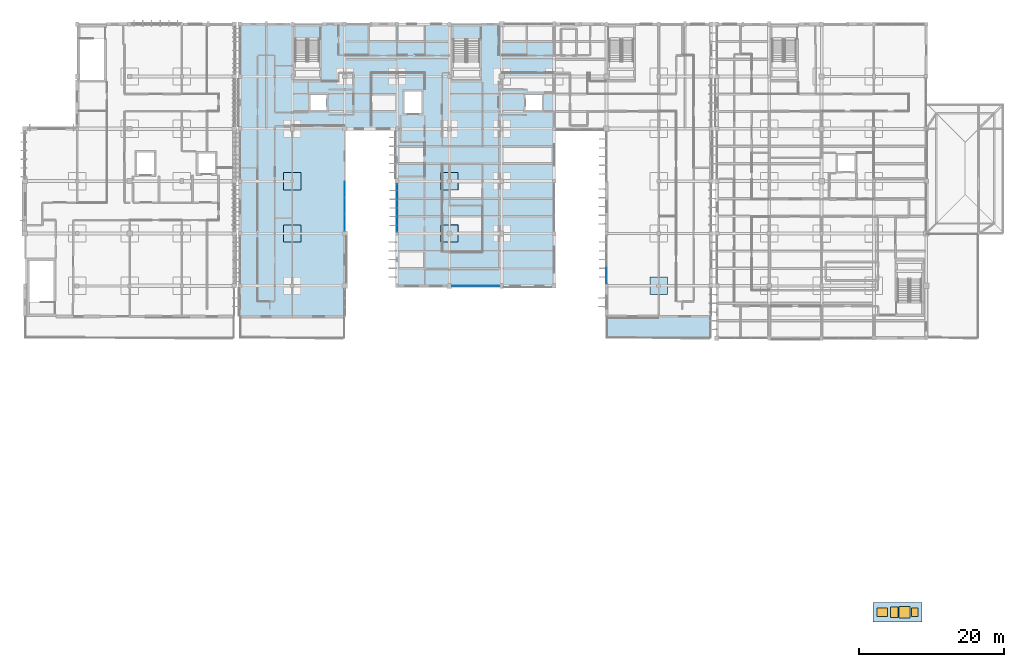
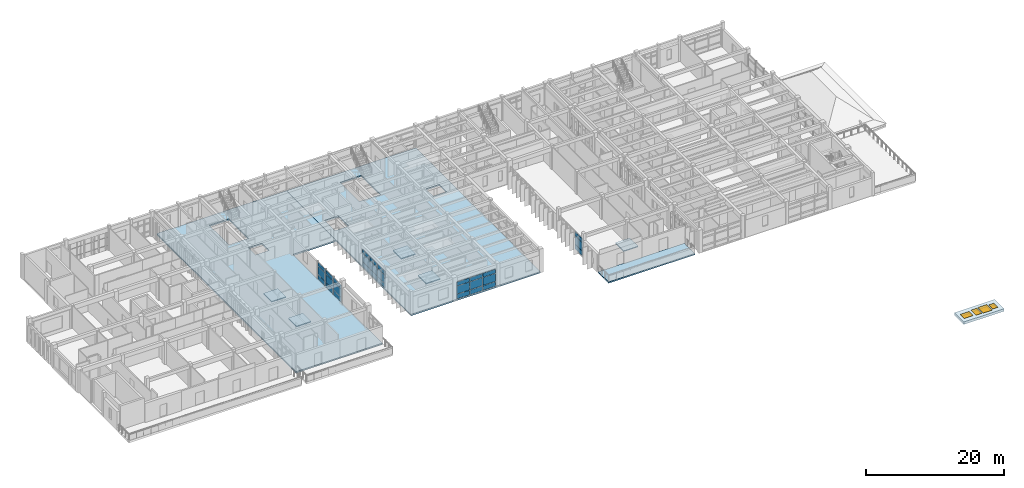
# One storey, part 26 of 55: 30 plates, 9 slabs, 2 doors, 2 windows, 4 openings, 4 elements without a shape of their own.
"""IFC4 building model written with IfcOpenShell, lengths in metres."""

from ifc_helpers import new_model, si_unit, direction, frame, origin, origin_2d, place, context, subcontext, project, spatial, polyline, rectangle, outline, extrude, material, layer, layer_set, type_object, element, fill, aggregate, save


model = new_model("IFC4")

# Units and contexts
model_context = context("Model", 3, precision=1e-05, world=origin(), true_north=direction((0.0, 1.0)))
body_context = subcontext(model_context, "Body", "Model", "MODEL_VIEW")
ifc_project = project(units=[si_unit("LENGTHUNIT", "METRE"), si_unit("AREAUNIT", "SQUARE_METRE"), si_unit("VOLUMEUNIT", "CUBIC_METRE"), si_unit("PLANEANGLEUNIT", "RADIAN"), si_unit("MASSUNIT", "GRAM", prefix="KILO")], contexts=[model_context])

# Site, building, storey
site_placement = place(None, origin())
site = spatial("IfcSite", under=ifc_project, at=site_placement, CompositionType="ELEMENT")
building_placement = place(site_placement, origin())
building = spatial("IfcBuilding", under=site, at=building_placement, Name="Steenspoor Specialist Clinic", CompositionType="ELEMENT")
storey_placement = place(building_placement, frame((0.0, 0.0, 13.199951171875)))
storey = spatial("IfcBuildingStorey", under=building, at=storey_placement, Name="L03", CompositionType="ELEMENT", Elevation=13.199951171875)

# Curtain wall, plates
ifc_material_1 = material(Name="Thermally broken aluminium and low-emissivity glass", Category="aluminium")
curtain_wall_type_1 = type_object("IfcCurtainWallType", Name="CW-WLK-520X340", PredefinedType="USERDEFINED", material=ifc_material_1)
curtain_wall_1_placement = place(storey_placement, origin())
curtain_wall_1 = element("IfcCurtainWall", 1, at=curtain_wall_1_placement, inside=storey, type_object=curtain_wall_type_1, Name="Unitised Curtain Wall CW-V4-L03-117", ObjectType="UNITISED GLAZING", PredefinedType="USERDEFINED")
ifc_material_2 = material(Name="Double low-emissivity insulated glass", Category="glass")
ifc_layer_1 = layer(ifc_material_2, 0.035888671875)
ifc_layer_set_1 = layer_set([ifc_layer_1], Name="Double low-emissivity insulated glass")
plate_type_1 = type_object("IfcPlateType", Name="CW-PAN-GL36", PredefinedType="CURTAIN_PANEL", material=ifc_layer_set_1)
plate_1_placement = place(storey_placement, frame((74.0, 80.87451171875, 0.06494140625), z_axis=(0.0, 0.0, 1.0), x_axis=(0.0, 1.0, 0.0)))
plate_1 = element("IfcPlate", 2, at=plate_1_placement, type_object=plate_type_1, Name="CW-21 panel 1.1", PredefinedType="CURTAIN_PANEL", context=body_context, shape_type="SweptSolid", body=[
    extrude(rectangle(XDim=2.119140625, YDim=0.035888671875, at=origin_2d()), origin(), (0.0, 0.0, 1.0), 0.802490234375),
])
plate_2_placement = place(storey_placement, frame((74.0, 80.87451171875, 0.9326171875), z_axis=(0.0, 0.0, 1.0), x_axis=(0.0, 1.0, 0.0)))
plate_2 = element("IfcPlate", 3, at=plate_2_placement, type_object=plate_type_1, Name="CW-21 panel 1.2", PredefinedType="CURTAIN_PANEL", context=body_context, shape_type="SweptSolid", body=[
    extrude(rectangle(XDim=2.119140625, YDim=0.035888671875, at=origin_2d()), origin(), (0.0, 0.0, 1.0), 1.385009765625),
])
plate_3_placement = place(storey_placement, frame((74.0, 80.87451171875, 2.382568359375), z_axis=(0.0, 0.0, 1.0), x_axis=(0.0, 1.0, 0.0)))
plate_3 = element("IfcPlate", 4, at=plate_3_placement, type_object=plate_type_1, Name="CW-21 panel 1.3", PredefinedType="CURTAIN_PANEL", context=body_context, shape_type="SweptSolid", body=[
    extrude(rectangle(XDim=2.119140625, YDim=0.035888671875, at=origin_2d()), origin(), (0.0, 0.0, 1.0), 0.6826171875),
])
plate_4_placement = place(storey_placement, frame((74.0, 83.074951171875, 0.06494140625), z_axis=(0.0, 0.0, 1.0), x_axis=(0.0, 1.0, 0.0)))
plate_4 = element("IfcPlate", 5, at=plate_4_placement, type_object=plate_type_1, Name="CW-21 panel 2.1", PredefinedType="CURTAIN_PANEL", context=body_context, shape_type="SweptSolid", body=[
    extrude(rectangle(XDim=2.151611328125, YDim=0.035888671875, at=origin_2d()), origin(), (0.0, 0.0, 1.0), 0.802490234375),
])
plate_5_placement = place(storey_placement, frame((74.0, 83.074951171875, 0.9326171875), z_axis=(0.0, 0.0, 1.0), x_axis=(0.0, 1.0, 0.0)))
plate_5 = element("IfcPlate", 6, at=plate_5_placement, type_object=plate_type_1, Name="CW-21 panel 2.2", PredefinedType="CURTAIN_PANEL", context=body_context, shape_type="SweptSolid", body=[
    extrude(rectangle(XDim=2.151611328125, YDim=0.035888671875, at=origin_2d()), origin(), (0.0, 0.0, 1.0), 1.385009765625),
])
plate_6_placement = place(storey_placement, frame((74.0, 83.074951171875, 2.382568359375), z_axis=(0.0, 0.0, 1.0), x_axis=(0.0, 1.0, 0.0)))
plate_6 = element("IfcPlate", 7, at=plate_6_placement, type_object=plate_type_1, Name="CW-21 panel 2.3", PredefinedType="CURTAIN_PANEL", context=body_context, shape_type="SweptSolid", body=[
    extrude(rectangle(XDim=2.151611328125, YDim=0.035888671875, at=origin_2d()), origin(), (0.0, 0.0, 1.0), 0.6826171875),
])
plate_7_placement = place(storey_placement, frame((74.0, 85.275390625, 0.06494140625), z_axis=(0.0, 0.0, 1.0), x_axis=(0.0, 1.0, 0.0)))
plate_7 = element("IfcPlate", 8, at=plate_7_placement, type_object=plate_type_1, Name="CW-21 panel 3.1", PredefinedType="CURTAIN_PANEL", context=body_context, shape_type="SweptSolid", body=[
    extrude(rectangle(XDim=2.119140625, YDim=0.035888671875, at=origin_2d()), origin(), (0.0, 0.0, 1.0), 0.802490234375),
])
plate_8_placement = place(storey_placement, frame((74.0, 85.275390625, 0.9326171875), z_axis=(0.0, 0.0, 1.0), x_axis=(0.0, 1.0, 0.0)))
plate_8 = element("IfcPlate", 9, at=plate_8_placement, type_object=plate_type_1, Name="CW-21 panel 3.2", PredefinedType="CURTAIN_PANEL", context=body_context, shape_type="SweptSolid", body=[
    extrude(rectangle(XDim=2.119140625, YDim=0.035888671875, at=origin_2d()), origin(), (0.0, 0.0, 1.0), 1.385009765625),
])
plate_9_placement = place(storey_placement, frame((74.0, 85.275390625, 2.382568359375), z_axis=(0.0, 0.0, 1.0), x_axis=(0.0, 1.0, 0.0)))
plate_9 = element("IfcPlate", 10, at=plate_9_placement, type_object=plate_type_1, Name="CW-21 panel 3.3", PredefinedType="CURTAIN_PANEL", context=body_context, shape_type="SweptSolid", body=[
    extrude(rectangle(XDim=2.119140625, YDim=0.035888671875, at=origin_2d()), origin(), (0.0, 0.0, 1.0), 0.6826171875),
])
aggregate(curtain_wall_1, [plate_1, plate_2, plate_3, plate_4, plate_5, plate_6, plate_7, plate_8, plate_9])

curtain_wall_type_2 = type_object("IfcCurtainWallType", Name="CW-WLK-360X340", PredefinedType="USERDEFINED", material=ifc_material_1)
curtain_wall_2_placement = place(storey_placement, origin())
curtain_wall_2 = element("IfcCurtainWall", 11, at=curtain_wall_2_placement, inside=storey, type_object=curtain_wall_type_2, Name="Unitised Curtain Wall CW-V4-L03-118", ObjectType="UNITISED GLAZING", PredefinedType="USERDEFINED")
ifc_material_3 = material(Name="Triple acoustic laminated low-emissivity glass", Category="glass")
ifc_layer_2 = layer(ifc_material_3, 0.048095703125)
ifc_layer_set_2 = layer_set([ifc_layer_2], Name="Triple acoustic laminated low-emissivity glass")
plate_type_2 = type_object("IfcPlateType", Name="CW-PAN-GL48", PredefinedType="CURTAIN_PANEL", material=ifc_layer_set_2)
plate_10_placement = place(storey_placement, frame((66.800048828125, 85.603759765625, 0.06005859375), z_axis=(0.0, 0.0, 1.0), x_axis=(0.0, -1.0, 0.0)))
plate_10 = element("IfcPlate", 12, at=plate_10_placement, type_object=plate_type_2, Name="CW-22 panel 1.1", PredefinedType="CURTAIN_PANEL", context=body_context, shape_type="SweptSolid", body=[
    extrude(rectangle(XDim=2.197509765625, YDim=0.048095703125, at=origin_2d()), origin(), (0.0, 0.0, 1.0), 0.81005859375),
])
plate_11_placement = place(storey_placement, frame((66.800048828125, 85.603759765625, 0.93017578125), z_axis=(0.0, 0.0, 1.0), x_axis=(0.0, -1.0, 0.0)))
plate_11 = element("IfcPlate", 13, at=plate_11_placement, type_object=plate_type_2, Name="CW-22 panel 1.2", PredefinedType="CURTAIN_PANEL", context=body_context, shape_type="SweptSolid", body=[
    extrude(rectangle(XDim=2.197509765625, YDim=0.048095703125, at=origin_2d()), origin(), (0.0, 0.0, 1.0), 1.389892578125),
])
plate_12_placement = place(storey_placement, frame((66.800048828125, 85.603759765625, 2.380126953125), z_axis=(0.0, 0.0, 1.0), x_axis=(0.0, -1.0, 0.0)))
plate_12 = element("IfcPlate", 14, at=plate_12_placement, type_object=plate_type_2, Name="CW-22 panel 1.3", PredefinedType="CURTAIN_PANEL", context=body_context, shape_type="SweptSolid", body=[
    extrude(rectangle(XDim=2.197509765625, YDim=0.048095703125, at=origin_2d()), origin(), (0.0, 0.0, 1.0), 0.68994140625),
])
plate_13_placement = place(storey_placement, frame((66.800048828125, 83.331298828125, 0.06005859375), z_axis=(0.0, 0.0, 1.0), x_axis=(0.0, -1.0, 0.0)))
plate_13 = element("IfcPlate", 15, at=plate_13_placement, type_object=plate_type_2, Name="CW-22 panel 2.1", PredefinedType="CURTAIN_PANEL", context=body_context, shape_type="SweptSolid", body=[
    extrude(rectangle(XDim=2.2275390625, YDim=0.048095703125, at=origin_2d()), origin(), (0.0, 0.0, 1.0), 0.81005859375),
])
plate_14_placement = place(storey_placement, frame((66.800048828125, 83.331298828125, 0.93017578125), z_axis=(0.0, 0.0, 1.0), x_axis=(0.0, -1.0, 0.0)))
plate_14 = element("IfcPlate", 16, at=plate_14_placement, type_object=plate_type_2, Name="CW-22 panel 2.2", PredefinedType="CURTAIN_PANEL", context=body_context, shape_type="SweptSolid", body=[
    extrude(rectangle(XDim=2.2275390625, YDim=0.048095703125, at=origin_2d()), origin(), (0.0, 0.0, 1.0), 1.389892578125),
])
plate_15_placement = place(storey_placement, frame((66.800048828125, 83.331298828125, 2.380126953125), z_axis=(0.0, 0.0, 1.0), x_axis=(0.0, -1.0, 0.0)))
plate_15 = element("IfcPlate", 17, at=plate_15_placement, type_object=plate_type_2, Name="CW-22 panel 2.3", PredefinedType="CURTAIN_PANEL", context=body_context, shape_type="SweptSolid", body=[
    extrude(rectangle(XDim=2.2275390625, YDim=0.048095703125, at=origin_2d()), origin(), (0.0, 0.0, 1.0), 0.68994140625),
])
plate_16_placement = place(storey_placement, frame((66.800048828125, 81.058837890625, 0.06005859375), z_axis=(0.0, 0.0, 1.0), x_axis=(0.0, -1.0, 0.0)))
plate_16 = element("IfcPlate", 18, at=plate_16_placement, type_object=plate_type_2, Name="CW-22 panel 3.1", PredefinedType="CURTAIN_PANEL", context=body_context, shape_type="SweptSolid", body=[
    extrude(rectangle(XDim=2.197509765625, YDim=0.048095703125, at=origin_2d()), origin(), (0.0, 0.0, 1.0), 0.81005859375),
])
plate_17_placement = place(storey_placement, frame((66.800048828125, 81.058837890625, 0.93017578125), z_axis=(0.0, 0.0, 1.0), x_axis=(0.0, -1.0, 0.0)))
plate_17 = element("IfcPlate", 19, at=plate_17_placement, type_object=plate_type_2, Name="CW-22 panel 3.2", PredefinedType="CURTAIN_PANEL", context=body_context, shape_type="SweptSolid", body=[
    extrude(rectangle(XDim=2.197509765625, YDim=0.048095703125, at=origin_2d()), origin(), (0.0, 0.0, 1.0), 1.389892578125),
])
plate_18_placement = place(storey_placement, frame((66.800048828125, 81.058837890625, 2.380126953125), z_axis=(0.0, 0.0, 1.0), x_axis=(0.0, -1.0, 0.0)))
plate_18 = element("IfcPlate", 20, at=plate_18_placement, type_object=plate_type_2, Name="CW-22 panel 3.3", PredefinedType="CURTAIN_PANEL", context=body_context, shape_type="SweptSolid", body=[
    extrude(rectangle(XDim=2.197509765625, YDim=0.048095703125, at=origin_2d()), origin(), (0.0, 0.0, 1.0), 0.68994140625),
])
aggregate(curtain_wall_2, [plate_10, plate_11, plate_12, plate_13, plate_14, plate_15, plate_16, plate_17, plate_18])

curtain_wall_type_3 = type_object("IfcCurtainWallType", Name="CW-SCR-660X320", PredefinedType="USERDEFINED", material=ifc_material_1)
curtain_wall_3_placement = place(storey_placement, origin())
curtain_wall_3 = element("IfcCurtainWall", 21, at=curtain_wall_3_placement, inside=storey, type_object=curtain_wall_type_3, Name="Unitised Curtain Wall CW-V4-L03-113", ObjectType="UNITISED GLAZING", PredefinedType="USERDEFINED")
ifc_material_4 = material(Name="Insulated glazed ceramic spandrel panel", Category="glass")
ifc_layer_3 = layer(ifc_material_4, 0.074951171875)
ifc_layer_set_3 = layer_set([ifc_layer_3], Name="Insulated glazed ceramic spandrel panel")
plate_type_3 = type_object("IfcPlateType", Name="CW-PAN-SP75", PredefinedType="CURTAIN_PANEL", material=ifc_layer_set_3)
plate_19_placement = place(storey_placement, frame((102.800048828125, 73.776611328125, 0.06005859375), z_axis=(0.0, 0.0, 1.0), x_axis=(0.0, 1.0, 0.0)))
plate_19 = element("IfcPlate", 22, at=plate_19_placement, type_object=plate_type_3, Name="CW-17 panel 1.1", PredefinedType="CURTAIN_PANEL", context=body_context, shape_type="SweptSolid", body=[
    extrude(rectangle(XDim=2.0732421875, YDim=0.074951171875, at=origin_2d()), origin(), (0.0, 0.0, 1.0), 0.81005859375),
])
plate_20_placement = place(storey_placement, frame((102.800048828125, 73.776611328125, 0.93017578125), z_axis=(0.0, 0.0, 1.0), x_axis=(0.0, 1.0, 0.0)))
plate_20 = element("IfcPlate", 23, at=plate_20_placement, type_object=plate_type_3, Name="CW-17 panel 1.2", PredefinedType="CURTAIN_PANEL", context=body_context, shape_type="SweptSolid", body=[
    extrude(rectangle(XDim=2.0732421875, YDim=0.074951171875, at=origin_2d()), origin(), (0.0, 0.0, 1.0), 1.389892578125),
])
plate_21_placement = place(storey_placement, frame((102.800048828125, 73.776611328125, 2.380126953125), z_axis=(0.0, 0.0, 1.0), x_axis=(0.0, 1.0, 0.0)))
plate_21 = element("IfcPlate", 24, at=plate_21_placement, type_object=plate_type_3, Name="CW-17 panel 1.3", PredefinedType="CURTAIN_PANEL", context=body_context, shape_type="SweptSolid", body=[
    extrude(rectangle(XDim=2.0732421875, YDim=0.074951171875, at=origin_2d()), origin(), (0.0, 0.0, 1.0), 0.68994140625),
])
aggregate(curtain_wall_3, [plate_19, plate_20, plate_21])

curtain_wall_type_4 = type_object("IfcCurtainWallType", Name="CW-WLK-640X340", PredefinedType="USERDEFINED", material=ifc_material_1)
curtain_wall_4_placement = place(storey_placement, origin())
curtain_wall_4 = element("IfcCurtainWall", 25, at=curtain_wall_4_placement, inside=storey, type_object=curtain_wall_type_4, Name="Unitised Curtain Wall CW-V4-L03-116", ObjectType="UNITISED GLAZING", PredefinedType="USERDEFINED")
plate_22_placement = place(storey_placement, frame((87.032470703125, 72.35009765625, 0.070068359375), z_axis=(0.0, 0.0, 1.0), x_axis=(-1.0, 0.0, 0.0)))
plate_22 = element("IfcPlate", 26, at=plate_22_placement, type_object=plate_type_3, Name="CW-20 panel 1.1", PredefinedType="CURTAIN_PANEL", context=body_context, shape_type="SweptSolid", body=[
    extrude(rectangle(XDim=2.094970703125, YDim=0.074951171875, at=origin_2d()), origin(), (0.0, 0.0, 1.0), 0.794921875),
])
plate_23_placement = place(storey_placement, frame((87.032470703125, 72.35009765625, 0.93505859375), z_axis=(0.0, 0.0, 1.0), x_axis=(-1.0, 0.0, 0.0)))
plate_23 = element("IfcPlate", 27, at=plate_23_placement, type_object=plate_type_3, Name="CW-20 panel 1.2", PredefinedType="CURTAIN_PANEL", context=body_context, shape_type="SweptSolid", body=[
    extrude(rectangle(XDim=2.094970703125, YDim=0.074951171875, at=origin_2d()), origin(), (0.0, 0.0, 1.0), 1.3798828125),
])
plate_24_placement = place(storey_placement, frame((87.032470703125, 72.35009765625, 2.38525390625), z_axis=(0.0, 0.0, 1.0), x_axis=(-1.0, 0.0, 0.0)))
plate_24 = element("IfcPlate", 28, at=plate_24_placement, type_object=plate_type_3, Name="CW-20 panel 1.3", PredefinedType="CURTAIN_PANEL", context=body_context, shape_type="SweptSolid", body=[
    extrude(rectangle(XDim=2.094970703125, YDim=0.074951171875, at=origin_2d()), origin(), (0.0, 0.0, 1.0), 0.675048828125),
])
plate_25_placement = place(storey_placement, frame((84.85009765625, 72.35009765625, 0.070068359375), z_axis=(0.0, 0.0, 1.0), x_axis=(-1.0, 0.0, 0.0)))
plate_25 = element("IfcPlate", 29, at=plate_25_placement, type_object=plate_type_3, Name="CW-20 panel 2.1", PredefinedType="CURTAIN_PANEL", context=body_context, shape_type="SweptSolid", body=[
    extrude(rectangle(XDim=2.1298828125, YDim=0.074951171875, at=origin_2d()), origin(), (0.0, 0.0, 1.0), 0.794921875),
])
plate_26_placement = place(storey_placement, frame((84.85009765625, 72.35009765625, 0.93505859375), z_axis=(0.0, 0.0, 1.0), x_axis=(-1.0, 0.0, 0.0)))
plate_26 = element("IfcPlate", 30, at=plate_26_placement, type_object=plate_type_3, Name="CW-20 panel 2.2", PredefinedType="CURTAIN_PANEL", context=body_context, shape_type="SweptSolid", body=[
    extrude(rectangle(XDim=2.1298828125, YDim=0.074951171875, at=origin_2d()), origin(), (0.0, 0.0, 1.0), 1.3798828125),
])
plate_27_placement = place(storey_placement, frame((84.85009765625, 72.35009765625, 2.38525390625), z_axis=(0.0, 0.0, 1.0), x_axis=(-1.0, 0.0, 0.0)))
plate_27 = element("IfcPlate", 31, at=plate_27_placement, type_object=plate_type_3, Name="CW-20 panel 2.3", PredefinedType="CURTAIN_PANEL", context=body_context, shape_type="SweptSolid", body=[
    extrude(rectangle(XDim=2.1298828125, YDim=0.074951171875, at=origin_2d()), origin(), (0.0, 0.0, 1.0), 0.675048828125),
])
plate_28_placement = place(storey_placement, frame((82.66748046875, 72.35009765625, 0.070068359375), z_axis=(0.0, 0.0, 1.0), x_axis=(-1.0, 0.0, 0.0)))
plate_28 = element("IfcPlate", 32, at=plate_28_placement, type_object=plate_type_3, Name="CW-20 panel 3.1", PredefinedType="CURTAIN_PANEL", context=body_context, shape_type="SweptSolid", body=[
    extrude(rectangle(XDim=2.094970703125, YDim=0.074951171875, at=origin_2d()), origin(), (0.0, 0.0, 1.0), 0.794921875),
])
plate_29_placement = place(storey_placement, frame((82.66748046875, 72.35009765625, 0.93505859375), z_axis=(0.0, 0.0, 1.0), x_axis=(-1.0, 0.0, 0.0)))
plate_29 = element("IfcPlate", 33, at=plate_29_placement, type_object=plate_type_3, Name="CW-20 panel 3.2", PredefinedType="CURTAIN_PANEL", context=body_context, shape_type="SweptSolid", body=[
    extrude(rectangle(XDim=2.094970703125, YDim=0.074951171875, at=origin_2d()), origin(), (0.0, 0.0, 1.0), 1.3798828125),
])
plate_30_placement = place(storey_placement, frame((82.66748046875, 72.35009765625, 2.38525390625), z_axis=(0.0, 0.0, 1.0), x_axis=(-1.0, 0.0, 0.0)))
plate_30 = element("IfcPlate", 34, at=plate_30_placement, type_object=plate_type_3, Name="CW-20 panel 3.3", PredefinedType="CURTAIN_PANEL", context=body_context, shape_type="SweptSolid", body=[
    extrude(rectangle(XDim=2.094970703125, YDim=0.074951171875, at=origin_2d()), origin(), (0.0, 0.0, 1.0), 0.675048828125),
])
aggregate(curtain_wall_4, [plate_22, plate_23, plate_24, plate_25, plate_26, plate_27, plate_28, plate_29, plate_30])

# Slab, openings, doors, windows
ifc_material_5 = material(Name="Concrete C35/45", Category="concrete")
ifc_layer_4 = layer(ifc_material_5, 0.219970703125)
ifc_layer_set_4 = layer_set([ifc_layer_4], Name="Concrete C35/45")
slab_type_1 = type_object("IfcSlabType", Name="SL-CURB-220", PredefinedType="ROOF", material=ifc_layer_set_4)
slab_1_placement = place(storey_placement, frame((0.0, 0.0, 3.340087890625)))
slab_1 = element("IfcSlab", 35, at=slab_1_placement, inside=storey, type_object=slab_type_1, Name="Roof Skylight Curb Slab V2", PredefinedType="ROOF", context=body_context, shape_type="SweptSolid", body=[
    extrude(outline(polyline([(139.5, 26.10009765625), (139.5, 28.800048828125), (146.199951171875, 28.800048828125), (146.199951171875, 26.10009765625), (139.5, 26.10009765625)]), holes=[polyline([(140.0, 26.85009765625), (141.5, 26.85009765625), (141.5, 28.050048828125), (140.0, 28.050048828125), (140.0, 26.85009765625)]), polyline([(141.89990234375, 26.699951171875), (142.89990234375, 26.699951171875), (142.89990234375, 28.199951171875), (141.89990234375, 28.199951171875), (141.89990234375, 26.699951171875)]), polyline([(143.050048828125, 26.64990234375), (144.550048828125, 26.64990234375), (144.550048828125, 28.25), (143.050048828125, 28.25), (143.050048828125, 26.64990234375)]), polyline([(144.75, 26.85009765625), (145.64990234375, 26.85009765625), (145.64990234375, 28.050048828125), (144.75, 28.050048828125), (144.75, 26.85009765625)])]), origin(), (0.0, 0.0, 1.0), 0.43994140625),
])
opening_1_placement = place(slab_1_placement, frame((140.75, 27.449951171875, -0.010009765625)))
opening_1 = element("IfcOpeningElement", 36, at=opening_1_placement, cuts=slab_1, Name="Opening SK-03", PredefinedType="OPENING", context=body_context, shape_type="SweptSolid", body=[
    extrude(rectangle(XDim=1.5, YDim=1.199951171875, at=origin_2d()), origin(), (0.0, 0.0, 1.0), 0.4599609375),
])
opening_2_placement = place(slab_1_placement, frame((142.39990234375, 27.449951171875, -0.010009765625)))
opening_2 = element("IfcOpeningElement", 37, at=opening_2_placement, cuts=slab_1, Name="Opening HT03", PredefinedType="OPENING", context=body_context, shape_type="SweptSolid", body=[
    extrude(rectangle(XDim=1.0, YDim=1.5, at=origin_2d()), origin(), (0.0, 0.0, 1.0), 0.4599609375),
])
opening_3_placement = place(slab_1_placement, frame((143.800048828125, 27.449951171875, -0.010009765625)))
opening_3 = element("IfcOpeningElement", 38, at=opening_3_placement, cuts=slab_1, Name="Opening SK-04", PredefinedType="OPENING", context=body_context, shape_type="SweptSolid", body=[
    extrude(rectangle(XDim=1.5, YDim=1.60009765625, at=origin_2d()), origin(), (0.0, 0.0, 1.0), 0.4599609375),
])
opening_4_placement = place(slab_1_placement, frame((145.199951171875, 27.449951171875, -0.010009765625)))
opening_4 = element("IfcOpeningElement", 39, at=opening_4_placement, cuts=slab_1, Name="Opening HT04", PredefinedType="OPENING", context=body_context, shape_type="SweptSolid", body=[
    extrude(rectangle(XDim=0.89990234375, YDim=1.199951171875, at=origin_2d()), origin(), (0.0, 0.0, 1.0), 0.4599609375),
])
ifc_material_6 = material(Name="Insulated aluminium roof hatch", Category="aluminium")
door_type_1 = type_object("IfcDoorType", Name="DT-HATCH-090X120", OperationType="NOTDEFINED", PredefinedType="TRAPDOOR", material=ifc_material_6)
door_1_placement = place(slab_1_placement, frame((145.199951171875, 27.449951171875, 0.3798828125)))
door_1 = element("IfcDoor", 40, at=door_1_placement, inside=storey, type_object=door_type_1, Name="Roof Access Hatch HT04", OperationType="SINGLE_SWING_LEFT", OverallHeight=1.199951171875, OverallWidth=0.89990234375, PredefinedType="TRAPDOOR", context=body_context, shape_type="SweptSolid", body=[
    extrude(rectangle(XDim=0.89990234375, YDim=1.199951171875, at=origin_2d()), origin(), (0.0, 0.0, 1.0), 0.06005859375),
])
fill(opening_4, door_1)
door_type_2 = type_object("IfcDoorType", Name="DT-HATCH-100X150", OperationType="NOTDEFINED", PredefinedType="TRAPDOOR", material=ifc_material_6)
door_2_placement = place(slab_1_placement, frame((142.39990234375, 27.449951171875, 0.3798828125)))
door_2 = element("IfcDoor", 41, at=door_2_placement, inside=storey, type_object=door_type_2, Name="Roof Access Hatch HT03", OperationType="SINGLE_SWING_LEFT", OverallHeight=1.5, OverallWidth=1.0, PredefinedType="TRAPDOOR", context=body_context, shape_type="SweptSolid", body=[
    extrude(rectangle(XDim=1.0, YDim=1.5, at=origin_2d()), origin(), (0.0, 0.0, 1.0), 0.06005859375),
])
fill(opening_2, door_2)
window_type_1 = type_object("IfcWindowType", Name="SK-ROOF-180X120", PartitioningType="SINGLE_PANEL", PredefinedType="SKYLIGHT", material=ifc_material_1)
window_1_placement = place(slab_1_placement, frame((140.75, 27.449951171875, 0.3798828125)))
window_1 = element("IfcWindow", 42, at=window_1_placement, inside=storey, type_object=window_type_1, Name="Roof Skylight V2 3", OverallHeight=1.199951171875, OverallWidth=1.5, PartitioningType="SINGLE_PANEL", PredefinedType="SKYLIGHT", context=body_context, shape_type="SweptSolid", body=[
    extrude(rectangle(XDim=1.5, YDim=1.199951171875, at=origin_2d()), origin(), (0.0, 0.0, 1.0), 0.06005859375),
])
fill(opening_1, window_1)
window_type_2 = type_object("IfcWindowType", Name="SK-ROOF-200X160", PartitioningType="SINGLE_PANEL", PredefinedType="SKYLIGHT", material=ifc_material_1)
window_2_placement = place(slab_1_placement, frame((143.800048828125, 27.449951171875, 0.3798828125)))
window_2 = element("IfcWindow", 43, at=window_2_placement, inside=storey, type_object=window_type_2, Name="Roof Skylight V2 4", OverallHeight=1.60009765625, OverallWidth=1.5, PartitioningType="SINGLE_PANEL", PredefinedType="SKYLIGHT", context=body_context, shape_type="SweptSolid", body=[
    extrude(rectangle(XDim=1.5, YDim=1.60009765625, at=origin_2d()), origin(), (0.0, 0.0, 1.0), 0.06005859375),
])
fill(opening_3, window_2)

# Slabs
ifc_layer_5 = layer(ifc_material_5, 0.169921875)
ifc_layer_set_5 = layer_set([ifc_layer_5], Name="Concrete C35/45")
slab_type_2 = type_object("IfcSlabType", Name="SL-DROP-170", PredefinedType="USERDEFINED", material=ifc_layer_set_5)
slab_2_placement = place(storey_placement, frame((0.0, 0.0, -0.419921875)))
element("IfcSlab", 44, at=slab_2_placement, inside=storey, type_object=slab_type_2, Name="Column Drop Panel DROP-V4-L03-056", ObjectType="DROP PANEL", PredefinedType="USERDEFINED", context=body_context, shape_type="SweptSolid", body=[
    extrude(outline(polyline([(60.800048828125, 78.35009765625), (60.800048828125, 80.75), (58.39990234375, 80.75), (58.39990234375, 78.35009765625), (60.800048828125, 78.35009765625)])), origin(), (0.0, 0.0, 1.0), 0.169921875),
])
slab_3_placement = place(storey_placement, frame((0.0, 0.0, -0.419921875)))
element("IfcSlab", 45, at=slab_3_placement, inside=storey, type_object=slab_type_2, Name="Column Drop Panel DROP-V4-L03-057", ObjectType="DROP PANEL", PredefinedType="USERDEFINED", context=body_context, shape_type="SweptSolid", body=[
    extrude(outline(polyline([(60.800048828125, 85.550048828125), (60.800048828125, 87.949951171875), (58.39990234375, 87.949951171875), (58.39990234375, 85.550048828125), (60.800048828125, 85.550048828125)])), origin(), (0.0, 0.0, 1.0), 0.169921875),
])
slab_4_placement = place(storey_placement, frame((0.0, 0.0, -0.419921875)))
element("IfcSlab", 46, at=slab_4_placement, inside=storey, type_object=slab_type_2, Name="Column Drop Panel DROP-V4-L03-061", ObjectType="DROP PANEL", PredefinedType="USERDEFINED", context=body_context, shape_type="SweptSolid", body=[
    extrude(outline(polyline([(82.39990234375, 78.35009765625), (82.39990234375, 80.75), (80.0, 80.75), (80.0, 78.35009765625), (82.39990234375, 78.35009765625)])), origin(), (0.0, 0.0, 1.0), 0.169921875),
])
slab_5_placement = place(storey_placement, frame((0.0, 0.0, -0.419921875)))
element("IfcSlab", 47, at=slab_5_placement, inside=storey, type_object=slab_type_2, Name="Column Drop Panel DROP-V4-L03-062", ObjectType="DROP PANEL", PredefinedType="USERDEFINED", context=body_context, shape_type="SweptSolid", body=[
    extrude(outline(polyline([(82.39990234375, 85.550048828125), (82.39990234375, 87.949951171875), (80.0, 87.949951171875), (80.0, 85.550048828125), (82.39990234375, 85.550048828125)])), origin(), (0.0, 0.0, 1.0), 0.169921875),
])
slab_6_placement = place(storey_placement, frame((0.0, 0.0, -0.419921875)))
element("IfcSlab", 48, at=slab_6_placement, inside=storey, type_object=slab_type_2, Name="Column Drop Panel DROP-V4-L03-069", ObjectType="DROP PANEL", PredefinedType="USERDEFINED", context=body_context, shape_type="SweptSolid", body=[
    extrude(outline(polyline([(111.199951171875, 71.14990234375), (111.199951171875, 73.550048828125), (108.800048828125, 73.550048828125), (108.800048828125, 71.14990234375), (111.199951171875, 71.14990234375)])), origin(), (0.0, 0.0, 1.0), 0.169921875),
])
ifc_layer_6 = layer(ifc_material_5, 0.25)
ifc_layer_set_6 = layer_set([ifc_layer_6], Name="Concrete C35/45")
slab_type_3 = type_object("IfcSlabType", Name="SL-FLAT-250", PredefinedType="FLOOR", material=ifc_layer_set_6)
slab_7_placement = place(storey_placement, frame((0.0, 0.0, -0.25)))
element("IfcSlab", 49, at=slab_7_placement, inside=storey, type_object=slab_type_3, Name="Structural Slab SLAB-V4-L03-022", PredefinedType="FLOOR", context=body_context, shape_type="SweptSolid", body=[
    extrude(outline(polyline([(74.0, 108.35009765625), (74.0, 93.949951171875), (66.800048828125, 93.949951171875), (66.800048828125, 68.14990234375), (52.39990234375, 68.14990234375), (52.39990234375, 93.949951171875), (52.39990234375, 108.35009765625), (74.0, 108.35009765625)]), holes=[polyline([(62.074951171875, 96.550048828125), (64.324951171875, 96.550048828125), (64.324951171875, 98.64990234375), (62.074951171875, 98.64990234375), (62.074951171875, 96.550048828125)]), polyline([(60.0, 100.699951171875), (63.300048828125, 100.699951171875), (63.300048828125, 106.35009765625), (60.0, 106.35009765625), (60.0, 100.699951171875)])]), origin(), (0.0, 0.0, 1.0), 0.25),
])
slab_8_placement = place(storey_placement, frame((0.0, 0.0, -0.25)))
element("IfcSlab", 50, at=slab_8_placement, inside=storey, type_object=slab_type_3, Name="Structural Slab SLAB-V4-L03-023", PredefinedType="FLOOR", context=body_context, shape_type="SweptSolid", body=[
    extrude(outline(polyline([(95.60009765625, 108.35009765625), (95.60009765625, 93.949951171875), (95.60009765625, 72.35009765625), (74.0, 72.35009765625), (74.0, 93.949951171875), (74.0, 108.35009765625), (95.60009765625, 108.35009765625)]), holes=[polyline([(75.050048828125, 99.10009765625), (75.050048828125, 96.10009765625), (77.35009765625, 96.10009765625), (77.35009765625, 99.10009765625), (75.050048828125, 99.10009765625)]), polyline([(91.675048828125, 98.64990234375), (91.675048828125, 96.550048828125), (93.925048828125, 96.550048828125), (93.925048828125, 98.64990234375), (91.675048828125, 98.64990234375)]), polyline([(81.75, 106.280029296875), (81.75, 100.699951171875), (85.35009765625, 100.699951171875), (85.35009765625, 106.280029296875), (81.75, 106.280029296875)])]), origin(), (0.0, 0.0, 1.0), 0.25),
])
ifc_layer_7 = layer(ifc_material_5, 0.22998046875)
ifc_layer_set_7 = layer_set([ifc_layer_7], Name="Concrete C35/45")
slab_type_4 = type_object("IfcSlabType", Name="SL-TERR-230", PredefinedType="FLOOR", material=ifc_layer_set_7)
slab_9_placement = place(storey_placement, frame((0.0, 0.0, -0.22998046875)))
element("IfcSlab", 51, at=slab_9_placement, inside=storey, type_object=slab_type_4, Name="Planted Roof Terrace Slab TERR-V4-L03-02", PredefinedType="FLOOR", context=body_context, shape_type="SweptSolid", body=[
    extrude(outline(polyline([(117.199951171875, 65.14990234375), (117.199951171875, 68.14990234375), (102.800048828125, 68.14990234375), (102.800048828125, 65.14990234375), (117.199951171875, 65.14990234375)])), origin(), (0.0, 0.0, 1.0), 0.22998046875),
])

save(model, "model.ifc")
